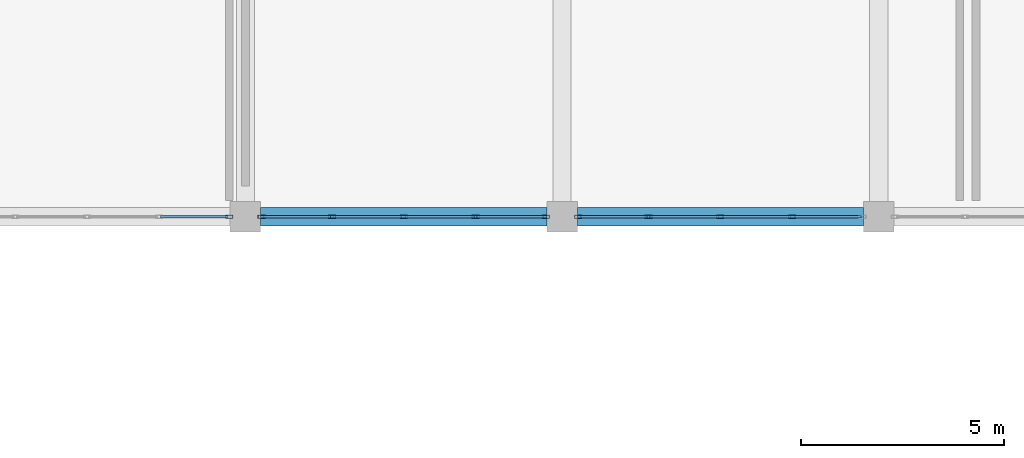
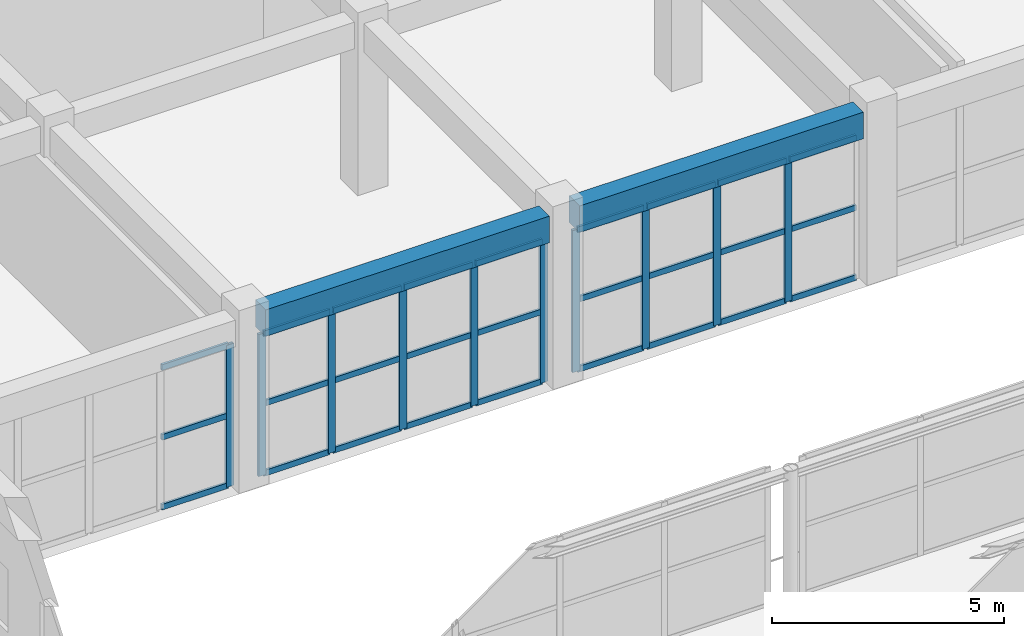
# One storey, part 68 of 167: 37 members, 2 beams, 3 elements without a shape of their own.
"""IFC4 building model written with IfcOpenShell, lengths in metres."""

from ifc_helpers import new_model, si_unit, direction, frame, origin, origin_2d, place, context, subcontext, project, spatial, rectangle, hollow_rectangle, extrude, material, layer, layer_set, material_profile, profile_set, type_object, element, aggregate, save


model = new_model("IFC4")

# Units and contexts
model_context = context("Model", 3, precision=1e-05, world=origin(), true_north=direction((0.0, 1.0)))
body_context = subcontext(model_context, "Body", "Model", "MODEL_VIEW")
ifc_project = project(units=[si_unit("LENGTHUNIT", "METRE"), si_unit("AREAUNIT", "SQUARE_METRE"), si_unit("VOLUMEUNIT", "CUBIC_METRE"), si_unit("PLANEANGLEUNIT", "RADIAN"), si_unit("MASSUNIT", "GRAM", prefix="KILO")], contexts=[model_context])

# Site, building, storey
site_placement = place(None, origin())
site = spatial("IfcSite", under=ifc_project, at=site_placement, CompositionType="ELEMENT")
building_placement = place(site_placement, origin())
building = spatial("IfcBuilding", under=site, at=building_placement, Name="Zizhar Promenade General Hospital", CompositionType="ELEMENT")
storey_placement = place(building_placement, frame((0.0, 0.0, 9.60009765625)))
storey = spatial("IfcBuildingStorey", under=building, at=storey_placement, Name="L02", CompositionType="ELEMENT", Elevation=9.60009765625)

# Beams
ifc_material_1 = material(Name="Concrete C35/45", Category="concrete")
ifc_material_profile_1 = material_profile(ifc_material_1, rectangle(XDim=0.449951171875, YDim=0.699951171875, at=origin_2d()))
ifc_profile_set_1 = profile_set([ifc_material_profile_1], Name="Concrete C35/45")
beam_type = type_object("IfcBeamType", Name="BM-RC-450x700", PredefinedType="BEAM", material=ifc_profile_set_1)
for number, where, z_axis, x_axis, name in (
    (1, (78.375, 92.39990234375, 4.119873046875), (1.0, 0.0, 0.0), (0.0, 1.0, 0.0), "Grid Beam X L02 (10-11)"),
    (2, (86.175048828125, 92.39990234375, 4.119873046875), (1.0, 0.0, 0.0), (0.0, 1.0, 0.0), "Grid Beam X L02 (11-11)"),
):
    element("IfcBeam", number, at=place(storey_placement, frame(where, z_axis=z_axis, x_axis=x_axis)), inside=storey, type_object=beam_type, Name=name, PredefinedType="BEAM", context=body_context, shape_type="SweptSolid", body=[
        extrude(rectangle(XDim=0.449951171875, YDim=0.699951171875, at=origin_2d()), origin(), (0.0, 0.0, 1.0), 7.050048828125),
    ])

# Curtain wall, member
ifc_material_2 = material(Name="Anodised aluminium 6063-T6 and low-E glass", Category="aluminium")
ifc_layer = layer(ifc_material_2, 0.159912109375)
ifc_layer_set = layer_set([ifc_layer], Name="Anodised aluminium 6063-T6 and low-E glass")
curtain_wall_type = type_object("IfcCurtainWallType", Name="CW-DT-MOD1", PredefinedType="NOTDEFINED", material=ifc_layer_set)
curtain_wall_1_placement = place(storey_placement, origin())
curtain_wall_1 = element("IfcCurtainWall", 3, at=curtain_wall_1_placement, inside=storey, type_object=curtain_wall_type, Name="Garden Court North Surgical Glazing L02-9", PredefinedType="NOTDEFINED")
ifc_material_3 = material(Name="Anodised aluminium 6063-T6", Category="aluminium")
ifc_material_profile_2 = material_profile(ifc_material_3, hollow_rectangle(XDim=0.080078125, YDim=0.179931640625, WallThickness=0.0048828125, at=origin_2d()))
ifc_profile_set_2 = profile_set([ifc_material_profile_2], Name="Anodised aluminium 6063-T6")
member_type_1 = type_object("IfcMemberType", Name="CWM-ALU-180x80", PredefinedType="MULLION", material=ifc_profile_set_2)
member_1_placement = place(storey_placement, frame((77.60009765625, 92.39990234375, 0.0), z_axis=(0.0, 0.0, 1.0), x_axis=(0.0, -1.0, 0.0)))
member_1 = element("IfcMember", 4, at=member_1_placement, type_object=member_type_1, Name="CW-07 mullion 1", PredefinedType="MULLION", context=body_context, shape_type="SweptSolid", body=[
    extrude(hollow_rectangle(XDim=0.080078125, YDim=0.179931640625, WallThickness=0.0048828125, at=origin_2d()), origin(), (0.0, 0.0, 1.0), 3.72998046875),
])

# Curtain wall, members
curtain_wall_2_placement = place(storey_placement, origin())
curtain_wall_2 = element("IfcCurtainWall", 5, at=curtain_wall_2_placement, inside=storey, type_object=curtain_wall_type, Name="Garden Court North Surgical Glazing L02-10", PredefinedType="NOTDEFINED")
member_2_placement = place(storey_placement, frame((85.39990234375, 92.39990234375, 0.0), z_axis=(0.0, 0.0, 1.0), x_axis=(0.0, -1.0, 0.0)))
member_2 = element("IfcMember", 6, at=member_2_placement, type_object=member_type_1, Name="CW-07 mullion 1", PredefinedType="MULLION", context=body_context, shape_type="SweptSolid", body=[
    extrude(hollow_rectangle(XDim=0.080078125, YDim=0.179931640625, WallThickness=0.0048828125, at=origin_2d()), origin(), (0.0, 0.0, 1.0), 3.72998046875),
])
member_3_placement = place(storey_placement, frame((83.669921875, 92.39990234375, 0.0), z_axis=(0.0, 0.0, 1.0), x_axis=(0.0, -1.0, 0.0)))
member_3 = element("IfcMember", 7, at=member_3_placement, type_object=member_type_1, Name="CW-07 mullion 2", PredefinedType="MULLION", context=body_context, shape_type="SweptSolid", body=[
    extrude(hollow_rectangle(XDim=0.080078125, YDim=0.179931640625, WallThickness=0.0048828125, at=origin_2d()), origin(), (0.0, 0.0, 1.0), 3.72998046875),
])
member_4_placement = place(storey_placement, frame((81.89990234375, 92.39990234375, 0.0), z_axis=(0.0, 0.0, 1.0), x_axis=(0.0, -1.0, 0.0)))
member_4 = element("IfcMember", 8, at=member_4_placement, type_object=member_type_1, Name="CW-07 mullion 3", PredefinedType="MULLION", context=body_context, shape_type="SweptSolid", body=[
    extrude(hollow_rectangle(XDim=0.080078125, YDim=0.179931640625, WallThickness=0.0048828125, at=origin_2d()), origin(), (0.0, 0.0, 1.0), 3.72998046875),
])
member_5_placement = place(storey_placement, frame((80.1298828125, 92.39990234375, 0.0), z_axis=(0.0, 0.0, 1.0), x_axis=(0.0, -1.0, 0.0)))
member_5 = element("IfcMember", 9, at=member_5_placement, type_object=member_type_1, Name="CW-07 mullion 4", PredefinedType="MULLION", context=body_context, shape_type="SweptSolid", body=[
    extrude(hollow_rectangle(XDim=0.080078125, YDim=0.179931640625, WallThickness=0.0048828125, at=origin_2d()), origin(), (0.0, 0.0, 1.0), 3.72998046875),
])
member_6_placement = place(storey_placement, frame((78.39990234375, 92.39990234375, 0.0), z_axis=(0.0, 0.0, 1.0), x_axis=(0.0, -1.0, 0.0)))
member_6 = element("IfcMember", 10, at=member_6_placement, type_object=member_type_1, Name="CW-07 mullion 5", PredefinedType="MULLION", context=body_context, shape_type="SweptSolid", body=[
    extrude(hollow_rectangle(XDim=0.080078125, YDim=0.179931640625, WallThickness=0.0048828125, at=origin_2d()), origin(), (0.0, 0.0, 1.0), 3.72998046875),
])

curtain_wall_3_placement = place(storey_placement, origin())
curtain_wall_3 = element("IfcCurtainWall", 11, at=curtain_wall_3_placement, inside=storey, type_object=curtain_wall_type, Name="Garden Court North Surgical Glazing L02-11", PredefinedType="NOTDEFINED")
member_7_placement = place(storey_placement, frame((91.469970703125, 92.39990234375, 0.0), z_axis=(0.0, 0.0, 1.0), x_axis=(0.0, -1.0, 0.0)))
member_7 = element("IfcMember", 12, at=member_7_placement, type_object=member_type_1, Name="CW-07 mullion 2", PredefinedType="MULLION", context=body_context, shape_type="SweptSolid", body=[
    extrude(hollow_rectangle(XDim=0.080078125, YDim=0.179931640625, WallThickness=0.0048828125, at=origin_2d()), origin(), (0.0, 0.0, 1.0), 3.72998046875),
])
member_8_placement = place(storey_placement, frame((89.699951171875, 92.39990234375, 0.0), z_axis=(0.0, 0.0, 1.0), x_axis=(0.0, -1.0, 0.0)))
member_8 = element("IfcMember", 13, at=member_8_placement, type_object=member_type_1, Name="CW-07 mullion 3", PredefinedType="MULLION", context=body_context, shape_type="SweptSolid", body=[
    extrude(hollow_rectangle(XDim=0.080078125, YDim=0.179931640625, WallThickness=0.0048828125, at=origin_2d()), origin(), (0.0, 0.0, 1.0), 3.72998046875),
])
member_9_placement = place(storey_placement, frame((87.929931640625, 92.39990234375, 0.0), z_axis=(0.0, 0.0, 1.0), x_axis=(0.0, -1.0, 0.0)))
member_9 = element("IfcMember", 14, at=member_9_placement, type_object=member_type_1, Name="CW-07 mullion 4", PredefinedType="MULLION", context=body_context, shape_type="SweptSolid", body=[
    extrude(hollow_rectangle(XDim=0.080078125, YDim=0.179931640625, WallThickness=0.0048828125, at=origin_2d()), origin(), (0.0, 0.0, 1.0), 3.72998046875),
])
member_10_placement = place(storey_placement, frame((86.199951171875, 92.39990234375, 0.0), z_axis=(0.0, 0.0, 1.0), x_axis=(0.0, -1.0, 0.0)))
member_10 = element("IfcMember", 15, at=member_10_placement, type_object=member_type_1, Name="CW-07 mullion 5", PredefinedType="MULLION", context=body_context, shape_type="SweptSolid", body=[
    extrude(hollow_rectangle(XDim=0.080078125, YDim=0.179931640625, WallThickness=0.0048828125, at=origin_2d()), origin(), (0.0, 0.0, 1.0), 3.72998046875),
])

# Member
ifc_material_4 = material(Name="Anodised aluminium 6063-T6", Category="aluminium")
ifc_material_profile_3 = material_profile(ifc_material_4, hollow_rectangle(XDim=0.06005859375, YDim=0.14990234375, WallThickness=0.00390625, at=origin_2d()))
ifc_profile_set_3 = profile_set([ifc_material_profile_3], Name="Anodised aluminium 6063-T6")
member_type_2 = type_object("IfcMemberType", Name="CWT-ALU-150x60", PredefinedType="USERDEFINED", material=ifc_profile_set_3)
member_11_placement = place(storey_placement, frame((77.56005859375, 92.39990234375, 0.02978515625), z_axis=(-1.0, 0.0, 0.0), x_axis=(0.0, -1.0, 0.0)))
member_11 = element("IfcMember", 16, at=member_11_placement, type_object=member_type_2, Name="CW-07 transom 1.1", ObjectType="TRANSOM", PredefinedType="USERDEFINED", context=body_context, shape_type="SweptSolid", body=[
    extrude(hollow_rectangle(XDim=0.06005859375, YDim=0.14990234375, WallThickness=0.00390625, at=origin_2d()), origin(), (0.0, 0.0, 1.0), 1.650146484375),
])

member_12_placement = place(storey_placement, frame((77.56005859375, 92.39990234375, 1.864990234375), z_axis=(-1.0, 0.0, 0.0), x_axis=(0.0, -1.0, 0.0)))
member_12 = element("IfcMember", 17, at=member_12_placement, type_object=member_type_2, Name="CW-07 transom 1.2", ObjectType="TRANSOM", PredefinedType="USERDEFINED", context=body_context, shape_type="SweptSolid", body=[
    extrude(hollow_rectangle(XDim=0.06005859375, YDim=0.14990234375, WallThickness=0.00390625, at=origin_2d()), origin(), (0.0, 0.0, 1.0), 1.650146484375),
])

member_13_placement = place(storey_placement, frame((77.56005859375, 92.39990234375, 3.699951171875), z_axis=(-1.0, 0.0, 0.0), x_axis=(0.0, -1.0, 0.0)))
member_13 = element("IfcMember", 18, at=member_13_placement, type_object=member_type_2, Name="CW-07 transom 1.3", ObjectType="TRANSOM", PredefinedType="USERDEFINED", context=body_context, shape_type="SweptSolid", body=[
    extrude(hollow_rectangle(XDim=0.06005859375, YDim=0.14990234375, WallThickness=0.00390625, at=origin_2d()), origin(), (0.0, 0.0, 1.0), 1.650146484375),
])

aggregate(curtain_wall_1, [member_1, member_11, member_12, member_13])

member_14_placement = place(storey_placement, frame((85.360107421875, 92.39990234375, 0.02978515625), z_axis=(-1.0, 0.0, 0.0), x_axis=(0.0, -1.0, 0.0)))
member_14 = element("IfcMember", 19, at=member_14_placement, type_object=member_type_2, Name="CW-07 transom 1.1", ObjectType="TRANSOM", PredefinedType="USERDEFINED", context=body_context, shape_type="SweptSolid", body=[
    extrude(hollow_rectangle(XDim=0.06005859375, YDim=0.14990234375, WallThickness=0.00390625, at=origin_2d()), origin(), (0.0, 0.0, 1.0), 1.650146484375),
])

member_15_placement = place(storey_placement, frame((85.360107421875, 92.39990234375, 1.864990234375), z_axis=(-1.0, 0.0, 0.0), x_axis=(0.0, -1.0, 0.0)))
member_15 = element("IfcMember", 20, at=member_15_placement, type_object=member_type_2, Name="CW-07 transom 1.2", ObjectType="TRANSOM", PredefinedType="USERDEFINED", context=body_context, shape_type="SweptSolid", body=[
    extrude(hollow_rectangle(XDim=0.06005859375, YDim=0.14990234375, WallThickness=0.00390625, at=origin_2d()), origin(), (0.0, 0.0, 1.0), 1.650146484375),
])

member_16_placement = place(storey_placement, frame((85.360107421875, 92.39990234375, 3.699951171875), z_axis=(-1.0, 0.0, 0.0), x_axis=(0.0, -1.0, 0.0)))
member_16 = element("IfcMember", 21, at=member_16_placement, type_object=member_type_2, Name="CW-07 transom 1.3", ObjectType="TRANSOM", PredefinedType="USERDEFINED", context=body_context, shape_type="SweptSolid", body=[
    extrude(hollow_rectangle(XDim=0.06005859375, YDim=0.14990234375, WallThickness=0.00390625, at=origin_2d()), origin(), (0.0, 0.0, 1.0), 1.650146484375),
])

member_17_placement = place(storey_placement, frame((83.6298828125, 92.39990234375, 0.02978515625), z_axis=(-1.0, 0.0, 0.0), x_axis=(0.0, -1.0, 0.0)))
member_17 = element("IfcMember", 22, at=member_17_placement, type_object=member_type_2, Name="CW-07 transom 2.1", ObjectType="TRANSOM", PredefinedType="USERDEFINED", context=body_context, shape_type="SweptSolid", body=[
    extrude(hollow_rectangle(XDim=0.06005859375, YDim=0.14990234375, WallThickness=0.00390625, at=origin_2d()), origin(), (0.0, 0.0, 1.0), 1.68994140625),
])

member_18_placement = place(storey_placement, frame((83.6298828125, 92.39990234375, 1.864990234375), z_axis=(-1.0, 0.0, 0.0), x_axis=(0.0, -1.0, 0.0)))
member_18 = element("IfcMember", 23, at=member_18_placement, type_object=member_type_2, Name="CW-07 transom 2.2", ObjectType="TRANSOM", PredefinedType="USERDEFINED", context=body_context, shape_type="SweptSolid", body=[
    extrude(hollow_rectangle(XDim=0.06005859375, YDim=0.14990234375, WallThickness=0.00390625, at=origin_2d()), origin(), (0.0, 0.0, 1.0), 1.68994140625),
])

member_19_placement = place(storey_placement, frame((83.6298828125, 92.39990234375, 3.699951171875), z_axis=(-1.0, 0.0, 0.0), x_axis=(0.0, -1.0, 0.0)))
member_19 = element("IfcMember", 24, at=member_19_placement, type_object=member_type_2, Name="CW-07 transom 2.3", ObjectType="TRANSOM", PredefinedType="USERDEFINED", context=body_context, shape_type="SweptSolid", body=[
    extrude(hollow_rectangle(XDim=0.06005859375, YDim=0.14990234375, WallThickness=0.00390625, at=origin_2d()), origin(), (0.0, 0.0, 1.0), 1.68994140625),
])

member_20_placement = place(storey_placement, frame((81.860107421875, 92.39990234375, 0.02978515625), z_axis=(-1.0, 0.0, 0.0), x_axis=(0.0, -1.0, 0.0)))
member_20 = element("IfcMember", 25, at=member_20_placement, type_object=member_type_2, Name="CW-07 transom 3.1", ObjectType="TRANSOM", PredefinedType="USERDEFINED", context=body_context, shape_type="SweptSolid", body=[
    extrude(hollow_rectangle(XDim=0.06005859375, YDim=0.14990234375, WallThickness=0.00390625, at=origin_2d()), origin(), (0.0, 0.0, 1.0), 1.690185546875),
])

member_21_placement = place(storey_placement, frame((81.860107421875, 92.39990234375, 1.864990234375), z_axis=(-1.0, 0.0, 0.0), x_axis=(0.0, -1.0, 0.0)))
member_21 = element("IfcMember", 26, at=member_21_placement, type_object=member_type_2, Name="CW-07 transom 3.2", ObjectType="TRANSOM", PredefinedType="USERDEFINED", context=body_context, shape_type="SweptSolid", body=[
    extrude(hollow_rectangle(XDim=0.06005859375, YDim=0.14990234375, WallThickness=0.00390625, at=origin_2d()), origin(), (0.0, 0.0, 1.0), 1.690185546875),
])

member_22_placement = place(storey_placement, frame((81.860107421875, 92.39990234375, 3.699951171875), z_axis=(-1.0, 0.0, 0.0), x_axis=(0.0, -1.0, 0.0)))
member_22 = element("IfcMember", 27, at=member_22_placement, type_object=member_type_2, Name="CW-07 transom 3.3", ObjectType="TRANSOM", PredefinedType="USERDEFINED", context=body_context, shape_type="SweptSolid", body=[
    extrude(hollow_rectangle(XDim=0.06005859375, YDim=0.14990234375, WallThickness=0.00390625, at=origin_2d()), origin(), (0.0, 0.0, 1.0), 1.690185546875),
])

member_23_placement = place(storey_placement, frame((80.090087890625, 92.39990234375, 0.02978515625), z_axis=(-1.0, 0.0, 0.0), x_axis=(0.0, -1.0, 0.0)))
member_23 = element("IfcMember", 28, at=member_23_placement, type_object=member_type_2, Name="CW-07 transom 4.1", ObjectType="TRANSOM", PredefinedType="USERDEFINED", context=body_context, shape_type="SweptSolid", body=[
    extrude(hollow_rectangle(XDim=0.06005859375, YDim=0.14990234375, WallThickness=0.00390625, at=origin_2d()), origin(), (0.0, 0.0, 1.0), 1.650146484375),
])

member_24_placement = place(storey_placement, frame((80.090087890625, 92.39990234375, 1.864990234375), z_axis=(-1.0, 0.0, 0.0), x_axis=(0.0, -1.0, 0.0)))
member_24 = element("IfcMember", 29, at=member_24_placement, type_object=member_type_2, Name="CW-07 transom 4.2", ObjectType="TRANSOM", PredefinedType="USERDEFINED", context=body_context, shape_type="SweptSolid", body=[
    extrude(hollow_rectangle(XDim=0.06005859375, YDim=0.14990234375, WallThickness=0.00390625, at=origin_2d()), origin(), (0.0, 0.0, 1.0), 1.650146484375),
])

member_25_placement = place(storey_placement, frame((80.090087890625, 92.39990234375, 3.699951171875), z_axis=(-1.0, 0.0, 0.0), x_axis=(0.0, -1.0, 0.0)))
member_25 = element("IfcMember", 30, at=member_25_placement, type_object=member_type_2, Name="CW-07 transom 4.3", ObjectType="TRANSOM", PredefinedType="USERDEFINED", context=body_context, shape_type="SweptSolid", body=[
    extrude(hollow_rectangle(XDim=0.06005859375, YDim=0.14990234375, WallThickness=0.00390625, at=origin_2d()), origin(), (0.0, 0.0, 1.0), 1.650146484375),
])

aggregate(curtain_wall_2, [member_2, member_3, member_4, member_5, member_6, member_14, member_15, member_16, member_17, member_18, member_19, member_20, member_21, member_22, member_23, member_24, member_25])

member_26_placement = place(storey_placement, frame((93.159912109375, 92.39990234375, 0.02978515625), z_axis=(-1.0, 0.0, 0.0), x_axis=(0.0, -1.0, 0.0)))
member_26 = element("IfcMember", 31, at=member_26_placement, type_object=member_type_2, Name="CW-07 transom 1.1", ObjectType="TRANSOM", PredefinedType="USERDEFINED", context=body_context, shape_type="SweptSolid", body=[
    extrude(hollow_rectangle(XDim=0.06005859375, YDim=0.14990234375, WallThickness=0.00390625, at=origin_2d()), origin(), (0.0, 0.0, 1.0), 1.64990234375),
])

member_27_placement = place(storey_placement, frame((93.159912109375, 92.39990234375, 1.864990234375), z_axis=(-1.0, 0.0, 0.0), x_axis=(0.0, -1.0, 0.0)))
member_27 = element("IfcMember", 32, at=member_27_placement, type_object=member_type_2, Name="CW-07 transom 1.2", ObjectType="TRANSOM", PredefinedType="USERDEFINED", context=body_context, shape_type="SweptSolid", body=[
    extrude(hollow_rectangle(XDim=0.06005859375, YDim=0.14990234375, WallThickness=0.00390625, at=origin_2d()), origin(), (0.0, 0.0, 1.0), 1.64990234375),
])

member_28_placement = place(storey_placement, frame((93.159912109375, 92.39990234375, 3.699951171875), z_axis=(-1.0, 0.0, 0.0), x_axis=(0.0, -1.0, 0.0)))
member_28 = element("IfcMember", 33, at=member_28_placement, type_object=member_type_2, Name="CW-07 transom 1.3", ObjectType="TRANSOM", PredefinedType="USERDEFINED", context=body_context, shape_type="SweptSolid", body=[
    extrude(hollow_rectangle(XDim=0.06005859375, YDim=0.14990234375, WallThickness=0.00390625, at=origin_2d()), origin(), (0.0, 0.0, 1.0), 1.64990234375),
])

member_29_placement = place(storey_placement, frame((91.429931640625, 92.39990234375, 0.02978515625), z_axis=(-1.0, 0.0, 0.0), x_axis=(0.0, -1.0, 0.0)))
member_29 = element("IfcMember", 34, at=member_29_placement, type_object=member_type_2, Name="CW-07 transom 2.1", ObjectType="TRANSOM", PredefinedType="USERDEFINED", context=body_context, shape_type="SweptSolid", body=[
    extrude(hollow_rectangle(XDim=0.06005859375, YDim=0.14990234375, WallThickness=0.00390625, at=origin_2d()), origin(), (0.0, 0.0, 1.0), 1.68994140625),
])

member_30_placement = place(storey_placement, frame((91.429931640625, 92.39990234375, 1.864990234375), z_axis=(-1.0, 0.0, 0.0), x_axis=(0.0, -1.0, 0.0)))
member_30 = element("IfcMember", 35, at=member_30_placement, type_object=member_type_2, Name="CW-07 transom 2.2", ObjectType="TRANSOM", PredefinedType="USERDEFINED", context=body_context, shape_type="SweptSolid", body=[
    extrude(hollow_rectangle(XDim=0.06005859375, YDim=0.14990234375, WallThickness=0.00390625, at=origin_2d()), origin(), (0.0, 0.0, 1.0), 1.68994140625),
])

member_31_placement = place(storey_placement, frame((91.429931640625, 92.39990234375, 3.699951171875), z_axis=(-1.0, 0.0, 0.0), x_axis=(0.0, -1.0, 0.0)))
member_31 = element("IfcMember", 36, at=member_31_placement, type_object=member_type_2, Name="CW-07 transom 2.3", ObjectType="TRANSOM", PredefinedType="USERDEFINED", context=body_context, shape_type="SweptSolid", body=[
    extrude(hollow_rectangle(XDim=0.06005859375, YDim=0.14990234375, WallThickness=0.00390625, at=origin_2d()), origin(), (0.0, 0.0, 1.0), 1.68994140625),
])

member_32_placement = place(storey_placement, frame((89.659912109375, 92.39990234375, 0.02978515625), z_axis=(-1.0, 0.0, 0.0), x_axis=(0.0, -1.0, 0.0)))
member_32 = element("IfcMember", 37, at=member_32_placement, type_object=member_type_2, Name="CW-07 transom 3.1", ObjectType="TRANSOM", PredefinedType="USERDEFINED", context=body_context, shape_type="SweptSolid", body=[
    extrude(hollow_rectangle(XDim=0.06005859375, YDim=0.14990234375, WallThickness=0.00390625, at=origin_2d()), origin(), (0.0, 0.0, 1.0), 1.68994140625),
])

member_33_placement = place(storey_placement, frame((89.659912109375, 92.39990234375, 1.864990234375), z_axis=(-1.0, 0.0, 0.0), x_axis=(0.0, -1.0, 0.0)))
member_33 = element("IfcMember", 38, at=member_33_placement, type_object=member_type_2, Name="CW-07 transom 3.2", ObjectType="TRANSOM", PredefinedType="USERDEFINED", context=body_context, shape_type="SweptSolid", body=[
    extrude(hollow_rectangle(XDim=0.06005859375, YDim=0.14990234375, WallThickness=0.00390625, at=origin_2d()), origin(), (0.0, 0.0, 1.0), 1.68994140625),
])

member_34_placement = place(storey_placement, frame((89.659912109375, 92.39990234375, 3.699951171875), z_axis=(-1.0, 0.0, 0.0), x_axis=(0.0, -1.0, 0.0)))
member_34 = element("IfcMember", 39, at=member_34_placement, type_object=member_type_2, Name="CW-07 transom 3.3", ObjectType="TRANSOM", PredefinedType="USERDEFINED", context=body_context, shape_type="SweptSolid", body=[
    extrude(hollow_rectangle(XDim=0.06005859375, YDim=0.14990234375, WallThickness=0.00390625, at=origin_2d()), origin(), (0.0, 0.0, 1.0), 1.68994140625),
])

member_35_placement = place(storey_placement, frame((87.889892578125, 92.39990234375, 0.02978515625), z_axis=(-1.0, 0.0, 0.0), x_axis=(0.0, -1.0, 0.0)))
member_35 = element("IfcMember", 40, at=member_35_placement, type_object=member_type_2, Name="CW-07 transom 4.1", ObjectType="TRANSOM", PredefinedType="USERDEFINED", context=body_context, shape_type="SweptSolid", body=[
    extrude(hollow_rectangle(XDim=0.06005859375, YDim=0.14990234375, WallThickness=0.00390625, at=origin_2d()), origin(), (0.0, 0.0, 1.0), 1.64990234375),
])

member_36_placement = place(storey_placement, frame((87.889892578125, 92.39990234375, 1.864990234375), z_axis=(-1.0, 0.0, 0.0), x_axis=(0.0, -1.0, 0.0)))
member_36 = element("IfcMember", 41, at=member_36_placement, type_object=member_type_2, Name="CW-07 transom 4.2", ObjectType="TRANSOM", PredefinedType="USERDEFINED", context=body_context, shape_type="SweptSolid", body=[
    extrude(hollow_rectangle(XDim=0.06005859375, YDim=0.14990234375, WallThickness=0.00390625, at=origin_2d()), origin(), (0.0, 0.0, 1.0), 1.64990234375),
])

member_37_placement = place(storey_placement, frame((87.889892578125, 92.39990234375, 3.699951171875), z_axis=(-1.0, 0.0, 0.0), x_axis=(0.0, -1.0, 0.0)))
member_37 = element("IfcMember", 42, at=member_37_placement, type_object=member_type_2, Name="CW-07 transom 4.3", ObjectType="TRANSOM", PredefinedType="USERDEFINED", context=body_context, shape_type="SweptSolid", body=[
    extrude(hollow_rectangle(XDim=0.06005859375, YDim=0.14990234375, WallThickness=0.00390625, at=origin_2d()), origin(), (0.0, 0.0, 1.0), 1.64990234375),
])

aggregate(curtain_wall_3, [member_7, member_8, member_9, member_10, member_26, member_27, member_28, member_29, member_30, member_31, member_32, member_33, member_34, member_35, member_36, member_37])

save(model, "model.ifc")
